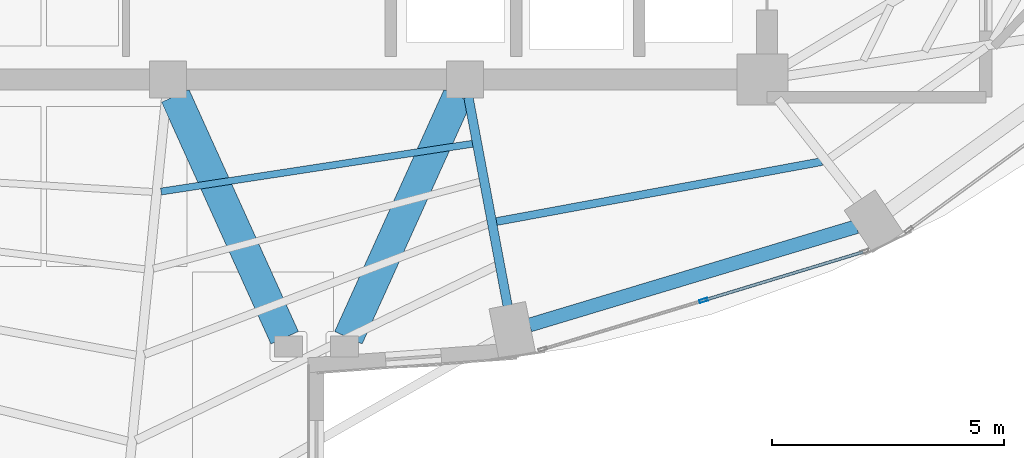
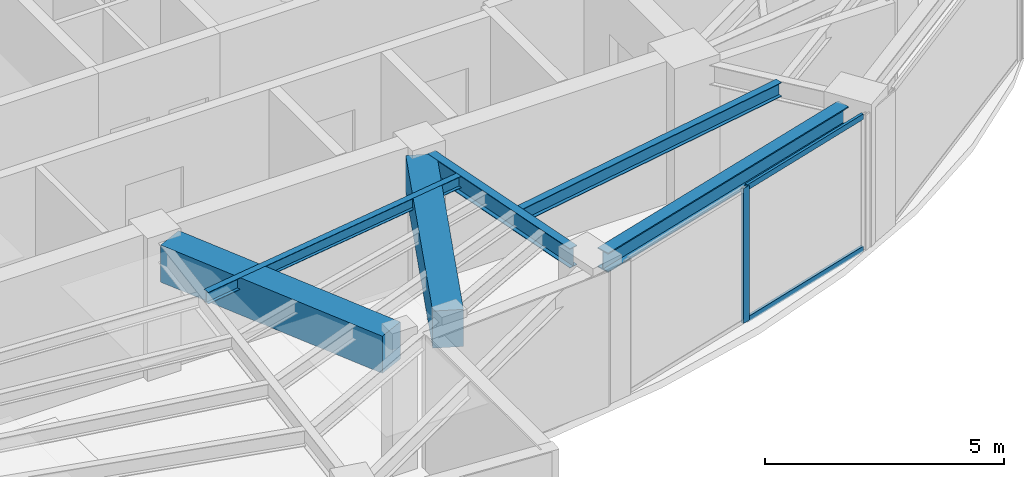
# One storey, part 7 of 22: 6 beams, 3 members, 1 element without a shape of its own.
"""IFC4 building model written with IfcOpenShell, lengths in metres."""

from ifc_helpers import new_model, si_unit, direction, frame, origin, origin_2d, place, context, subcontext, project, spatial, rectangle, hollow_rectangle, i_section, extrude, material, layer, layer_set, material_profile, profile_set, type_object, element, aggregate, save


model = new_model("IFC4")

# Units and contexts
model_context = context("Model", 3, precision=1e-05, world=origin(), true_north=direction((0.0, 1.0)))
body_context = subcontext(model_context, "Body", "Model", "MODEL_VIEW")
ifc_project = project(units=[si_unit("LENGTHUNIT", "METRE"), si_unit("AREAUNIT", "SQUARE_METRE"), si_unit("VOLUMEUNIT", "CUBIC_METRE"), si_unit("PLANEANGLEUNIT", "RADIAN"), si_unit("MASSUNIT", "GRAM", prefix="KILO")], contexts=[model_context])

# Site, building, storey
site_placement = place(None, origin())
site = spatial("IfcSite", under=ifc_project, at=site_placement, CompositionType="ELEMENT")
building_placement = place(site_placement, origin())
building = spatial("IfcBuilding", under=site, at=building_placement, Name="Lazwardi Medical Tower", CompositionType="ELEMENT")
storey_placement = place(building_placement, frame((0.0, 0.0, 258.672119140625)))
storey = spatial("IfcBuildingStorey", under=building, at=storey_placement, Name="L67", CompositionType="ELEMENT", Elevation=258.672119140625)

# Beams
ifc_material_1 = material(Name="Concrete C60/75", Category="concrete")
ifc_material_profile_1 = material_profile(ifc_material_1, rectangle(XDim=0.64990234375, YDim=0.949951171875, at=origin_2d()), Name="RC 650x950")
ifc_profile_set_1 = profile_set([ifc_material_profile_1], Name="Concrete C60/75")
beam_type_1 = type_object("IfcBeamType", Name="BM-CB-RC2", PredefinedType="LINTEL", material=ifc_profile_set_1)
for number, where, z_axis, x_axis, name in (
    (1, (32.95849609375, 20.04931640625, 2.972900390625), (0.412019279944, -0.911175127489, 0.0), (0.911175127489, 0.412019279944, 0.0), "Core coupling lintel CB-02 PL3 L67"),
    (2, (39.04150390625, 20.04931640625, 2.972900390625), (-0.412019279944, -0.911175127489, 0.0), (0.911175127489, -0.412019279944, 0.0), "Core coupling lintel CB-02 PL4 L67"),
):
    element("IfcBeam", number, at=place(storey_placement, frame(where, z_axis=z_axis, x_axis=x_axis)), inside=storey, type_object=beam_type_1, Name=name, PredefinedType="LINTEL", context=body_context, shape_type="SweptSolid", body=[
        extrude(rectangle(XDim=0.64990234375, YDim=0.949951171875, at=origin_2d()), origin(), (0.0, 0.0, 1.0), 5.7158203125),
    ])
ifc_material_2 = material(Name="Steel S355", Category="steel")
ifc_material_profile_2 = material_profile(ifc_material_2, i_section(OverallWidth=0.300048828125, OverallDepth=0.5, WebThickness=0.014404296875, FlangeThickness=0.028076171875, at=origin_2d()), Name="HEB 500")
ifc_profile_set_2 = profile_set([ifc_material_profile_2], Name="Steel S355")
beam_type_2 = type_object("IfcBeamType", Name="BM-RB-Z4", PredefinedType="BEAM", material=ifc_profile_set_2)
beam_1_placement = place(storey_placement, frame((40.58740234375, 15.114013671875, 3.197998046875), z_axis=(0.957544311906, 0.288286126506, 0.0), x_axis=(-0.288286126506, 0.957544311906, 0.0)))
element("IfcBeam", 3, at=beam_1_placement, inside=storey, type_object=beam_type_2, Name="Ring beam RB-05 B01 L67", PredefinedType="BEAM", context=body_context, shape_type="SweptSolid", body=[
    extrude(i_section(OverallWidth=0.300048828125, OverallDepth=0.5, WebThickness=0.014404296875, FlangeThickness=0.028076171875, at=origin_2d()), origin(), (0.0, 0.0, 1.0), 7.3515625),
])
ifc_material_profile_3 = material_profile(ifc_material_2, i_section(OverallWidth=0.199951171875, OverallDepth=0.5, WebThickness=0.01025390625, FlangeThickness=0.01611328125, at=origin_2d()), Name="IPE 500")
ifc_profile_set_3 = profile_set([ifc_material_profile_3], Name="Steel S355")
beam_type_3 = type_object("IfcBeamType", Name="BM-RG-W3", PredefinedType="BEAM", material=ifc_profile_set_3)
beam_2_placement = place(storey_placement, frame((40.115234375, 15.527587890625, 3.197998046875), z_axis=(-0.184633463507, 0.982807450192, 0.0), x_axis=(-0.982807450192, -0.184633463507, 0.0)))
element("IfcBeam", 4, at=beam_2_placement, inside=storey, type_object=beam_type_3, Name="Radial girder RG-04 R01 L67", PredefinedType="BEAM", context=body_context, shape_type="SweptSolid", body=[
    extrude(i_section(OverallWidth=0.199951171875, OverallDepth=0.5, WebThickness=0.01025390625, FlangeThickness=0.01611328125, at=origin_2d()), origin(), (0.0, 0.0, 1.0), 4.572509765625),
])
ifc_material_profile_4 = material_profile(ifc_material_2, i_section(OverallWidth=0.169921875, OverallDepth=0.360107421875, WebThickness=0.008056640625, FlangeThickness=0.0126953125, at=origin_2d()), Name="IPE 360")
ifc_profile_set_4 = profile_set([ifc_material_profile_4], Name="Steel S355")
beam_type_4 = type_object("IfcBeamType", Name="BM-SJ-02", PredefinedType="JOIST", material=ifc_profile_set_4)
beam_3_placement = place(storey_placement, frame((39.87109375, 17.34228515625, 3.267822265625), z_axis=(0.983427965623, 0.181299300688, 0.0), x_axis=(-0.181299300688, 0.983427965623, 0.0)))
element("IfcBeam", 5, at=beam_3_placement, inside=storey, type_object=beam_type_4, Name="Secondary joist SJ-02 R2 B01 L67", PredefinedType="JOIST", context=body_context, shape_type="SweptSolid", body=[
    extrude(i_section(OverallWidth=0.169921875, OverallDepth=0.360107421875, WebThickness=0.008056640625, FlangeThickness=0.0126953125, at=origin_2d()), origin(), (0.0, 0.0, 1.0), 7.127685546875),
])
ifc_material_profile_5 = material_profile(ifc_material_2, i_section(OverallWidth=0.14990234375, OverallDepth=0.300048828125, WebThickness=0.007080078125, FlangeThickness=0.0107421875, at=origin_2d()), Name="IPE 300")
ifc_profile_set_5 = profile_set([ifc_material_profile_5], Name="Steel S355")
beam_type_5 = type_object("IfcBeamType", Name="BM-SJ-03", PredefinedType="JOIST", material=ifc_profile_set_5)
beam_4_placement = place(storey_placement, frame((32.652587890625, 17.989013671875, 3.2978515625), z_axis=(0.988433562862, 0.151654514629, 0.0), x_axis=(-0.151654514629, 0.988433562862, 0.0)))
element("IfcBeam", 6, at=beam_4_placement, inside=storey, type_object=beam_type_5, Name="Secondary joist SJ-03 R4 B16 L67", PredefinedType="JOIST", context=body_context, shape_type="SweptSolid", body=[
    extrude(i_section(OverallWidth=0.14990234375, OverallDepth=0.300048828125, WebThickness=0.007080078125, FlangeThickness=0.0107421875, at=origin_2d()), origin(), (0.0, 0.0, 1.0), 6.788818359375),
])

# Curtain wall, members
ifc_material_3 = material(Name="Anodised bronze aluminium and solar control glazing", Category="aluminium")
ifc_layer = layer(ifc_material_3, 0.18994140625)
ifc_layer_set = layer_set([ifc_layer], Name="Anodised bronze aluminium and solar control glazing")
curtain_wall_type = type_object("IfcCurtainWallType", Name="CW-SYS-04", PredefinedType="NOTDEFINED", material=ifc_layer_set)
curtain_wall_placement = place(storey_placement, origin())
curtain_wall = element("IfcCurtainWall", 7, at=curtain_wall_placement, inside=storey, type_object=curtain_wall_type, Name="L67 Unitised bronze curtain wall CW-04", PredefinedType="NOTDEFINED")
ifc_material_4 = material(Name="Anodised bronze aluminium", Category="aluminium")
ifc_material_profile_6 = material_profile(ifc_material_4, hollow_rectangle(XDim=0.06494140625, YDim=0.179931640625, WallThickness=0.00390625, at=origin_2d()), Name="ALU-MULLION 180x65x4")
ifc_profile_set_6 = profile_set([ifc_material_profile_6], Name="Anodised bronze aluminium")
member_type_1 = type_object("IfcMemberType", Name="CW-MUL-03", PredefinedType="MULLION", material=ifc_profile_set_6)
member_1_placement = place(storey_placement, frame((44.33642578125, 15.644775390625, 0.0), z_axis=(0.0, 0.0, 1.0), x_axis=(-0.290581889515, 0.956850126972, 0.0)))
member_1 = element("IfcMember", 8, at=member_1_placement, type_object=member_type_1, Name="CW-04 mullion 2", PredefinedType="MULLION", context=body_context, shape_type="SweptSolid", body=[
    extrude(hollow_rectangle(XDim=0.06494140625, YDim=0.179931640625, WallThickness=0.00390625, at=origin_2d()), origin(), (0.0, 0.0, 1.0), 3.447998046875),
])
ifc_material_profile_7 = material_profile(ifc_material_4, hollow_rectangle(XDim=0.06494140625, YDim=0.139892578125, WallThickness=0.00341796875, at=origin_2d()), Name="ALU-TRANSOM 140x65x3.5")
ifc_profile_set_7 = profile_set([ifc_material_profile_7], Name="Anodised bronze aluminium")
member_type_2 = type_object("IfcMemberType", Name="CW-TRN-03", PredefinedType="USERDEFINED", material=ifc_profile_set_7)
member_2_placement = place(storey_placement, frame((44.367431640625, 15.654052734375, 0.032470703125), z_axis=(0.956843409009, 0.290604010015, 0.0), x_axis=(-0.290604010015, 0.956843409009, 0.0)))
member_2 = element("IfcMember", 9, at=member_2_placement, type_object=member_type_2, Name="CW-04 transom 2.1", ObjectType="TRANSOM", PredefinedType="USERDEFINED", context=body_context, shape_type="SweptSolid", body=[
    extrude(hollow_rectangle(XDim=0.06494140625, YDim=0.139892578125, WallThickness=0.00341796875, at=origin_2d()), origin(), (0.0, 0.0, 1.0), 3.554443359375),
])
member_3_placement = place(storey_placement, frame((44.367431640625, 15.654052734375, 3.415283203125), z_axis=(0.956843409009, 0.290604010015, 0.0), x_axis=(-0.290604010015, 0.956843409009, 0.0)))
member_3 = element("IfcMember", 10, at=member_3_placement, type_object=member_type_2, Name="CW-04 transom 2.2", ObjectType="TRANSOM", PredefinedType="USERDEFINED", context=body_context, shape_type="SweptSolid", body=[
    extrude(hollow_rectangle(XDim=0.06494140625, YDim=0.139892578125, WallThickness=0.00341796875, at=origin_2d()), origin(), (0.0, 0.0, 1.0), 3.554443359375),
])
aggregate(curtain_wall, [member_1, member_2, member_3])

save(model, "model.ifc")
